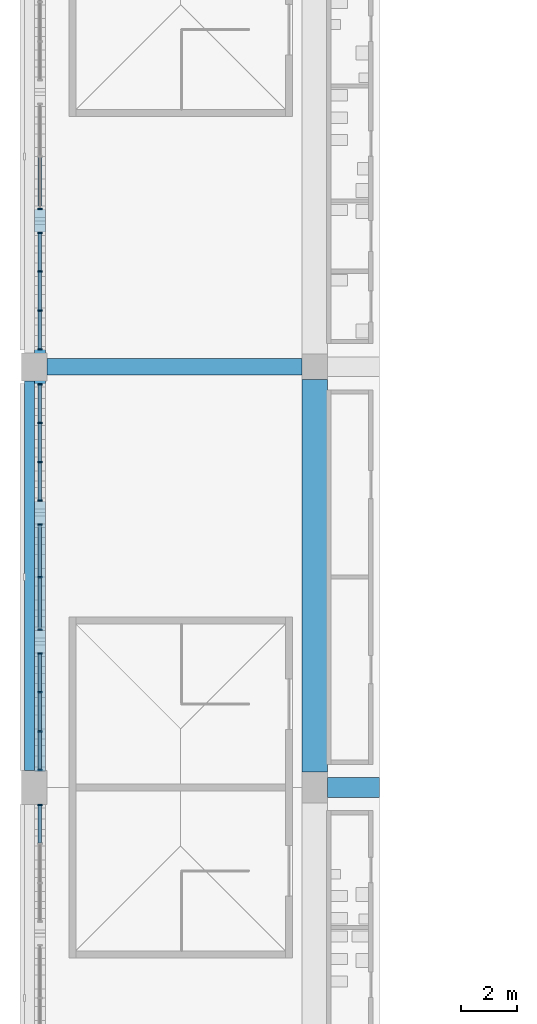
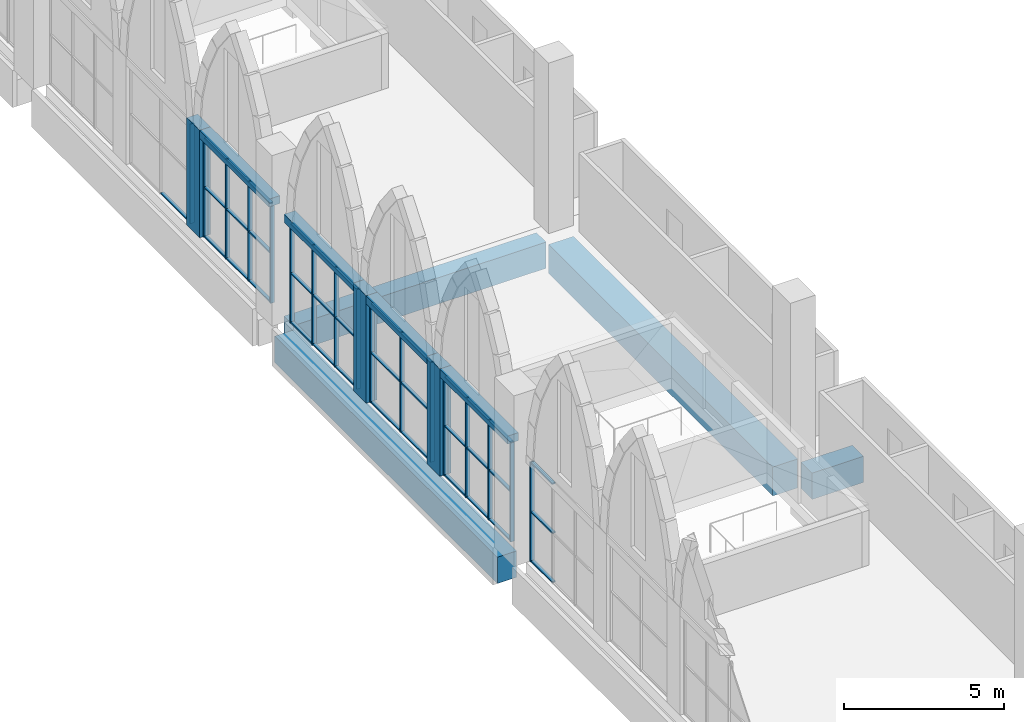
# One storey, part 13 of 130: 57 members, 8 beams, 6 elements without a shape of their own.
"""IFC4 building model written with IfcOpenShell, lengths in metres."""

from ifc_helpers import new_model, si_unit, direction, frame, origin, origin_2d, place, context, subcontext, project, spatial, rectangle, extrude, material, material_profile, profile_set, type_object, element, aggregate, save


model = new_model("IFC4")

# Units and contexts
model_context = context("Model", 3, precision=1e-05, world=origin(), true_north=direction((0.0, 1.0)))
body_context = subcontext(model_context, "Body", "Model", "MODEL_VIEW")
ifc_project = project(units=[si_unit("LENGTHUNIT", "METRE"), si_unit("AREAUNIT", "SQUARE_METRE"), si_unit("VOLUMEUNIT", "CUBIC_METRE"), si_unit("PLANEANGLEUNIT", "RADIAN"), si_unit("MASSUNIT", "GRAM", prefix="KILO")], contexts=[model_context])

# Site, building, storey
site_placement = place(None, origin())
site = spatial("IfcSite", under=ifc_project, at=site_placement, CompositionType="ELEMENT")
building_placement = place(site_placement, origin())
building = spatial("IfcBuilding", under=site, at=building_placement, Name="Ogive Plaza Stadium", CompositionType="ELEMENT")
storey_placement = place(building_placement, frame((0.0, 0.0, 22.5)))
storey = spatial("IfcBuildingStorey", under=building, at=storey_placement, Name="L05", CompositionType="ELEMENT", Elevation=22.5)

# Curtain wall, member
ifc_material_1 = material(Name="Bronze-anodised aluminium with laminated glass", Category="aluminium")
curtain_wall_type = type_object("IfcCurtainWallType", Name="Lancet curtain wall", PredefinedType="NOTDEFINED", material=ifc_material_1)
curtain_wall_1_placement = place(storey_placement, origin())
curtain_wall_1 = element("IfcCurtainWall", 1, at=curtain_wall_1_placement, inside=storey, type_object=curtain_wall_type, Name="CURTAIN WALL B21 L05", PredefinedType="NOTDEFINED")
ifc_material_2 = material(Name="Bronze-anodised aluminium", Category="aluminium")
ifc_material_profile_1 = material_profile(ifc_material_2, rectangle(XDim=0.14990234375, YDim=0.050048828125, at=origin_2d()), Name="AL 150x50")
ifc_profile_set_1 = profile_set([ifc_material_profile_1], Name="Bronze-anodised aluminium")
member_type_1 = type_object("IfcMemberType", Name="Curtain wall mullion 50x150", PredefinedType="MULLION", material=ifc_profile_set_1)
member_1_placement = place(storey_placement, frame((-83.800048828125, -38.125, 0.0), z_axis=(0.0, 0.0, 1.0), x_axis=(-1.0, 0.0, 0.0)))
member_1 = element("IfcMember", 2, at=member_1_placement, type_object=member_type_1, Name="CW-B21-L05.3 mullion 4", PredefinedType="MULLION", context=body_context, shape_type="SweptSolid", body=[
    extrude(rectangle(XDim=0.14990234375, YDim=0.050048828125, at=origin_2d()), origin(), (0.0, 0.0, 1.0), 3.800048828125),
])

# Curtain wall, members
curtain_wall_2_placement = place(storey_placement, origin())
curtain_wall_2 = element("IfcCurtainWall", 3, at=curtain_wall_2_placement, inside=storey, type_object=curtain_wall_type, Name="CURTAIN WALL B22 L05", PredefinedType="NOTDEFINED")
member_2_placement = place(storey_placement, frame((-83.800048828125, -36.875, 0.0), z_axis=(0.0, 0.0, 1.0), x_axis=(-1.0, 0.0, 0.0)))
member_2 = element("IfcMember", 4, at=member_2_placement, type_object=member_type_1, Name="CW-B22-L05.1 mullion 1", PredefinedType="MULLION", context=body_context, shape_type="SweptSolid", body=[
    extrude(rectangle(XDim=0.14990234375, YDim=0.050048828125, at=origin_2d()), origin(), (0.0, 0.0, 1.0), 3.800048828125),
])
member_3_placement = place(storey_placement, frame((-83.800048828125, -35.5, 0.0), z_axis=(0.0, 0.0, 1.0), x_axis=(-1.0, 0.0, 0.0)))
member_3 = element("IfcMember", 5, at=member_3_placement, type_object=member_type_1, Name="CW-B22-L05.1 mullion 2", PredefinedType="MULLION", context=body_context, shape_type="SweptSolid", body=[
    extrude(rectangle(XDim=0.14990234375, YDim=0.050048828125, at=origin_2d()), origin(), (0.0, 0.0, 1.0), 3.800048828125),
])
member_4_placement = place(storey_placement, frame((-83.800048828125, -34.10009765625, 0.0), z_axis=(0.0, 0.0, 1.0), x_axis=(-1.0, 0.0, 0.0)))
member_4 = element("IfcMember", 6, at=member_4_placement, type_object=member_type_1, Name="CW-B22-L05.1 mullion 3", PredefinedType="MULLION", context=body_context, shape_type="SweptSolid", body=[
    extrude(rectangle(XDim=0.14990234375, YDim=0.050048828125, at=origin_2d()), origin(), (0.0, 0.0, 1.0), 3.800048828125),
])
member_5_placement = place(storey_placement, frame((-83.800048828125, -32.72509765625, 0.0), z_axis=(0.0, 0.0, 1.0), x_axis=(-1.0, 0.0, 0.0)))
member_5 = element("IfcMember", 7, at=member_5_placement, type_object=member_type_1, Name="CW-B22-L05.1 mullion 4", PredefinedType="MULLION", context=body_context, shape_type="SweptSolid", body=[
    extrude(rectangle(XDim=0.14990234375, YDim=0.050048828125, at=origin_2d()), origin(), (0.0, 0.0, 1.0), 3.800048828125),
])

curtain_wall_3_placement = place(storey_placement, origin())
curtain_wall_3 = element("IfcCurtainWall", 8, at=curtain_wall_3_placement, inside=storey, type_object=curtain_wall_type, Name="CURTAIN WALL B22 L05", PredefinedType="NOTDEFINED")
member_6_placement = place(storey_placement, frame((-83.800048828125, -31.875, 0.0), z_axis=(0.0, 0.0, 1.0), x_axis=(-1.0, 0.0, 0.0)))
member_6 = element("IfcMember", 9, at=member_6_placement, type_object=member_type_1, Name="CW-B22-L05.2 mullion 1", PredefinedType="MULLION", context=body_context, shape_type="SweptSolid", body=[
    extrude(rectangle(XDim=0.14990234375, YDim=0.050048828125, at=origin_2d()), origin(), (0.0, 0.0, 1.0), 3.800048828125),
])
member_7_placement = place(storey_placement, frame((-83.800048828125, -30.0, 0.0), z_axis=(0.0, 0.0, 1.0), x_axis=(-1.0, 0.0, 0.0)))
member_7 = element("IfcMember", 10, at=member_7_placement, type_object=member_type_1, Name="CW-B22-L05.2 mullion 2", PredefinedType="MULLION", context=body_context, shape_type="SweptSolid", body=[
    extrude(rectangle(XDim=0.14990234375, YDim=0.050048828125, at=origin_2d()), origin(), (0.0, 0.0, 1.0), 3.800048828125),
])
member_8_placement = place(storey_placement, frame((-83.800048828125, -28.125, 0.0), z_axis=(0.0, 0.0, 1.0), x_axis=(-1.0, 0.0, 0.0)))
member_8 = element("IfcMember", 11, at=member_8_placement, type_object=member_type_1, Name="CW-B22-L05.2 mullion 3", PredefinedType="MULLION", context=body_context, shape_type="SweptSolid", body=[
    extrude(rectangle(XDim=0.14990234375, YDim=0.050048828125, at=origin_2d()), origin(), (0.0, 0.0, 1.0), 3.800048828125),
])

curtain_wall_4_placement = place(storey_placement, origin())
curtain_wall_4 = element("IfcCurtainWall", 12, at=curtain_wall_4_placement, inside=storey, type_object=curtain_wall_type, Name="CURTAIN WALL B22 L05", PredefinedType="NOTDEFINED")
member_9_placement = place(storey_placement, frame((-83.800048828125, -27.27490234375, 0.0), z_axis=(0.0, 0.0, 1.0), x_axis=(-1.0, 0.0, 0.0)))
member_9 = element("IfcMember", 13, at=member_9_placement, type_object=member_type_1, Name="CW-B22-L05.3 mullion 1", PredefinedType="MULLION", context=body_context, shape_type="SweptSolid", body=[
    extrude(rectangle(XDim=0.14990234375, YDim=0.050048828125, at=origin_2d()), origin(), (0.0, 0.0, 1.0), 3.800048828125),
])
member_10_placement = place(storey_placement, frame((-83.800048828125, -25.89990234375, 0.0), z_axis=(0.0, 0.0, 1.0), x_axis=(-1.0, 0.0, 0.0)))
member_10 = element("IfcMember", 14, at=member_10_placement, type_object=member_type_1, Name="CW-B22-L05.3 mullion 2", PredefinedType="MULLION", context=body_context, shape_type="SweptSolid", body=[
    extrude(rectangle(XDim=0.14990234375, YDim=0.050048828125, at=origin_2d()), origin(), (0.0, 0.0, 1.0), 3.800048828125),
])
member_11_placement = place(storey_placement, frame((-83.800048828125, -24.5, 0.0), z_axis=(0.0, 0.0, 1.0), x_axis=(-1.0, 0.0, 0.0)))
member_11 = element("IfcMember", 15, at=member_11_placement, type_object=member_type_1, Name="CW-B22-L05.3 mullion 3", PredefinedType="MULLION", context=body_context, shape_type="SweptSolid", body=[
    extrude(rectangle(XDim=0.14990234375, YDim=0.050048828125, at=origin_2d()), origin(), (0.0, 0.0, 1.0), 3.800048828125),
])
member_12_placement = place(storey_placement, frame((-83.800048828125, -23.125, 0.0), z_axis=(0.0, 0.0, 1.0), x_axis=(-1.0, 0.0, 0.0)))
member_12 = element("IfcMember", 16, at=member_12_placement, type_object=member_type_1, Name="CW-B22-L05.3 mullion 4", PredefinedType="MULLION", context=body_context, shape_type="SweptSolid", body=[
    extrude(rectangle(XDim=0.14990234375, YDim=0.050048828125, at=origin_2d()), origin(), (0.0, 0.0, 1.0), 3.800048828125),
])

curtain_wall_5_placement = place(storey_placement, origin())
curtain_wall_5 = element("IfcCurtainWall", 17, at=curtain_wall_5_placement, inside=storey, type_object=curtain_wall_type, Name="CURTAIN WALL B23 L05", PredefinedType="NOTDEFINED")
member_13_placement = place(storey_placement, frame((-83.800048828125, -21.875, 0.0), z_axis=(0.0, 0.0, 1.0), x_axis=(-1.0, 0.0, 0.0)))
member_13 = element("IfcMember", 18, at=member_13_placement, type_object=member_type_1, Name="CW-B23-L05.1 mullion 1", PredefinedType="MULLION", context=body_context, shape_type="SweptSolid", body=[
    extrude(rectangle(XDim=0.14990234375, YDim=0.050048828125, at=origin_2d()), origin(), (0.0, 0.0, 1.0), 3.800048828125),
])
member_14_placement = place(storey_placement, frame((-83.800048828125, -20.5, 0.0), z_axis=(0.0, 0.0, 1.0), x_axis=(-1.0, 0.0, 0.0)))
member_14 = element("IfcMember", 19, at=member_14_placement, type_object=member_type_1, Name="CW-B23-L05.1 mullion 2", PredefinedType="MULLION", context=body_context, shape_type="SweptSolid", body=[
    extrude(rectangle(XDim=0.14990234375, YDim=0.050048828125, at=origin_2d()), origin(), (0.0, 0.0, 1.0), 3.800048828125),
])
member_15_placement = place(storey_placement, frame((-83.800048828125, -19.10009765625, 0.0), z_axis=(0.0, 0.0, 1.0), x_axis=(-1.0, 0.0, 0.0)))
member_15 = element("IfcMember", 20, at=member_15_placement, type_object=member_type_1, Name="CW-B23-L05.1 mullion 3", PredefinedType="MULLION", context=body_context, shape_type="SweptSolid", body=[
    extrude(rectangle(XDim=0.14990234375, YDim=0.050048828125, at=origin_2d()), origin(), (0.0, 0.0, 1.0), 3.800048828125),
])
member_16_placement = place(storey_placement, frame((-83.800048828125, -17.72509765625, 0.0), z_axis=(0.0, 0.0, 1.0), x_axis=(-1.0, 0.0, 0.0)))
member_16 = element("IfcMember", 21, at=member_16_placement, type_object=member_type_1, Name="CW-B23-L05.1 mullion 4", PredefinedType="MULLION", context=body_context, shape_type="SweptSolid", body=[
    extrude(rectangle(XDim=0.14990234375, YDim=0.050048828125, at=origin_2d()), origin(), (0.0, 0.0, 1.0), 3.800048828125),
])

# Curtain wall, member
curtain_wall_6_placement = place(storey_placement, origin())
curtain_wall_6 = element("IfcCurtainWall", 22, at=curtain_wall_6_placement, inside=storey, type_object=curtain_wall_type, Name="CURTAIN WALL B23 L05", PredefinedType="NOTDEFINED")
member_17_placement = place(storey_placement, frame((-83.800048828125, -16.875, 0.0), z_axis=(0.0, 0.0, 1.0), x_axis=(-1.0, 0.0, 0.0)))
member_17 = element("IfcMember", 23, at=member_17_placement, type_object=member_type_1, Name="CW-B23-L05.2 mullion 1", PredefinedType="MULLION", context=body_context, shape_type="SweptSolid", body=[
    extrude(rectangle(XDim=0.14990234375, YDim=0.050048828125, at=origin_2d()), origin(), (0.0, 0.0, 1.0), 3.800048828125),
])

# Member
ifc_material_3 = material(Name="Bronze-anodised aluminium", Category="aluminium")
ifc_material_profile_2 = material_profile(ifc_material_3, rectangle(XDim=0.1201171875, YDim=0.050048828125, at=origin_2d()), Name="AL 120x50")
ifc_profile_set_2 = profile_set([ifc_material_profile_2], Name="Bronze-anodised aluminium")
member_type_2 = type_object("IfcMemberType", Name="Curtain wall transom 50x120", PredefinedType="USERDEFINED", material=ifc_profile_set_2)
member_18_placement = place(storey_placement, frame((-83.800048828125, -39.47509765625, 0.02490234375), z_axis=(0.0, 1.0, 0.0), x_axis=(-1.0, 0.0, 0.0)))
member_18 = element("IfcMember", 24, at=member_18_placement, type_object=member_type_2, Name="CW-B21-L05.3 transom 3.1", ObjectType="TRANSOM", PredefinedType="USERDEFINED", context=body_context, shape_type="SweptSolid", body=[
    extrude(rectangle(XDim=0.1201171875, YDim=0.050048828125, at=origin_2d()), origin(), (0.0, 0.0, 1.0), 1.3251953125),
])

member_19_placement = place(storey_placement, frame((-83.800048828125, -39.47509765625, 1.89990234375), z_axis=(0.0, 1.0, 0.0), x_axis=(-1.0, 0.0, 0.0)))
member_19 = element("IfcMember", 25, at=member_19_placement, type_object=member_type_2, Name="CW-B21-L05.3 transom 3.2", ObjectType="TRANSOM", PredefinedType="USERDEFINED", context=body_context, shape_type="SweptSolid", body=[
    extrude(rectangle(XDim=0.1201171875, YDim=0.050048828125, at=origin_2d()), origin(), (0.0, 0.0, 1.0), 1.3251953125),
])

member_20_placement = place(storey_placement, frame((-83.800048828125, -39.47509765625, 3.77490234375), z_axis=(0.0, 1.0, 0.0), x_axis=(-1.0, 0.0, 0.0)))
member_20 = element("IfcMember", 26, at=member_20_placement, type_object=member_type_2, Name="CW-B21-L05.3 transom 3.3", ObjectType="TRANSOM", PredefinedType="USERDEFINED", context=body_context, shape_type="SweptSolid", body=[
    extrude(rectangle(XDim=0.1201171875, YDim=0.050048828125, at=origin_2d()), origin(), (0.0, 0.0, 1.0), 1.3251953125),
])

aggregate(curtain_wall_1, [member_1, member_18, member_19, member_20])

member_21_placement = place(storey_placement, frame((-83.800048828125, -36.85009765625, 0.02490234375), z_axis=(0.0, 1.0, 0.0), x_axis=(-1.0, 0.0, 0.0)))
member_21 = element("IfcMember", 27, at=member_21_placement, type_object=member_type_2, Name="CW-B22-L05.1 transom 1.1", ObjectType="TRANSOM", PredefinedType="USERDEFINED", context=body_context, shape_type="SweptSolid", body=[
    extrude(rectangle(XDim=0.1201171875, YDim=0.050048828125, at=origin_2d()), origin(), (0.0, 0.0, 1.0), 1.3251953125),
])

member_22_placement = place(storey_placement, frame((-83.800048828125, -36.85009765625, 1.89990234375), z_axis=(0.0, 1.0, 0.0), x_axis=(-1.0, 0.0, 0.0)))
member_22 = element("IfcMember", 28, at=member_22_placement, type_object=member_type_2, Name="CW-B22-L05.1 transom 1.2", ObjectType="TRANSOM", PredefinedType="USERDEFINED", context=body_context, shape_type="SweptSolid", body=[
    extrude(rectangle(XDim=0.1201171875, YDim=0.050048828125, at=origin_2d()), origin(), (0.0, 0.0, 1.0), 1.3251953125),
])

member_23_placement = place(storey_placement, frame((-83.800048828125, -36.85009765625, 3.77490234375), z_axis=(0.0, 1.0, 0.0), x_axis=(-1.0, 0.0, 0.0)))
member_23 = element("IfcMember", 29, at=member_23_placement, type_object=member_type_2, Name="CW-B22-L05.1 transom 1.3", ObjectType="TRANSOM", PredefinedType="USERDEFINED", context=body_context, shape_type="SweptSolid", body=[
    extrude(rectangle(XDim=0.1201171875, YDim=0.050048828125, at=origin_2d()), origin(), (0.0, 0.0, 1.0), 1.3251953125),
])

member_24_placement = place(storey_placement, frame((-83.800048828125, -35.47509765625, 0.02490234375), z_axis=(0.0, 1.0, 0.0), x_axis=(-1.0, 0.0, 0.0)))
member_24 = element("IfcMember", 30, at=member_24_placement, type_object=member_type_2, Name="CW-B22-L05.1 transom 2.1", ObjectType="TRANSOM", PredefinedType="USERDEFINED", context=body_context, shape_type="SweptSolid", body=[
    extrude(rectangle(XDim=0.1201171875, YDim=0.050048828125, at=origin_2d()), origin(), (0.0, 0.0, 1.0), 1.35009765625),
])

member_25_placement = place(storey_placement, frame((-83.800048828125, -35.47509765625, 1.89990234375), z_axis=(0.0, 1.0, 0.0), x_axis=(-1.0, 0.0, 0.0)))
member_25 = element("IfcMember", 31, at=member_25_placement, type_object=member_type_2, Name="CW-B22-L05.1 transom 2.2", ObjectType="TRANSOM", PredefinedType="USERDEFINED", context=body_context, shape_type="SweptSolid", body=[
    extrude(rectangle(XDim=0.1201171875, YDim=0.050048828125, at=origin_2d()), origin(), (0.0, 0.0, 1.0), 1.35009765625),
])

member_26_placement = place(storey_placement, frame((-83.800048828125, -35.47509765625, 3.77490234375), z_axis=(0.0, 1.0, 0.0), x_axis=(-1.0, 0.0, 0.0)))
member_26 = element("IfcMember", 32, at=member_26_placement, type_object=member_type_2, Name="CW-B22-L05.1 transom 2.3", ObjectType="TRANSOM", PredefinedType="USERDEFINED", context=body_context, shape_type="SweptSolid", body=[
    extrude(rectangle(XDim=0.1201171875, YDim=0.050048828125, at=origin_2d()), origin(), (0.0, 0.0, 1.0), 1.35009765625),
])

member_27_placement = place(storey_placement, frame((-83.800048828125, -34.074951171875, 0.02490234375), z_axis=(0.0, 1.0, 0.0), x_axis=(-1.0, 0.0, 0.0)))
member_27 = element("IfcMember", 33, at=member_27_placement, type_object=member_type_2, Name="CW-B22-L05.1 transom 3.1", ObjectType="TRANSOM", PredefinedType="USERDEFINED", context=body_context, shape_type="SweptSolid", body=[
    extrude(rectangle(XDim=0.1201171875, YDim=0.050048828125, at=origin_2d()), origin(), (0.0, 0.0, 1.0), 1.324951171875),
])

member_28_placement = place(storey_placement, frame((-83.800048828125, -34.074951171875, 1.89990234375), z_axis=(0.0, 1.0, 0.0), x_axis=(-1.0, 0.0, 0.0)))
member_28 = element("IfcMember", 34, at=member_28_placement, type_object=member_type_2, Name="CW-B22-L05.1 transom 3.2", ObjectType="TRANSOM", PredefinedType="USERDEFINED", context=body_context, shape_type="SweptSolid", body=[
    extrude(rectangle(XDim=0.1201171875, YDim=0.050048828125, at=origin_2d()), origin(), (0.0, 0.0, 1.0), 1.324951171875),
])

member_29_placement = place(storey_placement, frame((-83.800048828125, -34.074951171875, 3.77490234375), z_axis=(0.0, 1.0, 0.0), x_axis=(-1.0, 0.0, 0.0)))
member_29 = element("IfcMember", 35, at=member_29_placement, type_object=member_type_2, Name="CW-B22-L05.1 transom 3.3", ObjectType="TRANSOM", PredefinedType="USERDEFINED", context=body_context, shape_type="SweptSolid", body=[
    extrude(rectangle(XDim=0.1201171875, YDim=0.050048828125, at=origin_2d()), origin(), (0.0, 0.0, 1.0), 1.324951171875),
])

aggregate(curtain_wall_2, [member_2, member_3, member_4, member_5, member_21, member_22, member_23, member_24, member_25, member_26, member_27, member_28, member_29])

member_30_placement = place(storey_placement, frame((-83.800048828125, -31.85009765625, 0.02490234375), z_axis=(0.0, 1.0, 0.0), x_axis=(-1.0, 0.0, 0.0)))
member_30 = element("IfcMember", 36, at=member_30_placement, type_object=member_type_2, Name="CW-B22-L05.2 transom 1.1", ObjectType="TRANSOM", PredefinedType="USERDEFINED", context=body_context, shape_type="SweptSolid", body=[
    extrude(rectangle(XDim=0.1201171875, YDim=0.050048828125, at=origin_2d()), origin(), (0.0, 0.0, 1.0), 1.8251953125),
])

member_31_placement = place(storey_placement, frame((-83.800048828125, -31.85009765625, 1.89990234375), z_axis=(0.0, 1.0, 0.0), x_axis=(-1.0, 0.0, 0.0)))
member_31 = element("IfcMember", 37, at=member_31_placement, type_object=member_type_2, Name="CW-B22-L05.2 transom 1.2", ObjectType="TRANSOM", PredefinedType="USERDEFINED", context=body_context, shape_type="SweptSolid", body=[
    extrude(rectangle(XDim=0.1201171875, YDim=0.050048828125, at=origin_2d()), origin(), (0.0, 0.0, 1.0), 1.8251953125),
])

member_32_placement = place(storey_placement, frame((-83.800048828125, -31.85009765625, 3.77490234375), z_axis=(0.0, 1.0, 0.0), x_axis=(-1.0, 0.0, 0.0)))
member_32 = element("IfcMember", 38, at=member_32_placement, type_object=member_type_2, Name="CW-B22-L05.2 transom 1.3", ObjectType="TRANSOM", PredefinedType="USERDEFINED", context=body_context, shape_type="SweptSolid", body=[
    extrude(rectangle(XDim=0.1201171875, YDim=0.050048828125, at=origin_2d()), origin(), (0.0, 0.0, 1.0), 1.8251953125),
])

member_33_placement = place(storey_placement, frame((-83.800048828125, -29.97509765625, 0.02490234375), z_axis=(0.0, 1.0, 0.0), x_axis=(-1.0, 0.0, 0.0)))
member_33 = element("IfcMember", 39, at=member_33_placement, type_object=member_type_2, Name="CW-B22-L05.2 transom 2.1", ObjectType="TRANSOM", PredefinedType="USERDEFINED", context=body_context, shape_type="SweptSolid", body=[
    extrude(rectangle(XDim=0.1201171875, YDim=0.050048828125, at=origin_2d()), origin(), (0.0, 0.0, 1.0), 1.8251953125),
])

member_34_placement = place(storey_placement, frame((-83.800048828125, -29.97509765625, 1.89990234375), z_axis=(0.0, 1.0, 0.0), x_axis=(-1.0, 0.0, 0.0)))
member_34 = element("IfcMember", 40, at=member_34_placement, type_object=member_type_2, Name="CW-B22-L05.2 transom 2.2", ObjectType="TRANSOM", PredefinedType="USERDEFINED", context=body_context, shape_type="SweptSolid", body=[
    extrude(rectangle(XDim=0.1201171875, YDim=0.050048828125, at=origin_2d()), origin(), (0.0, 0.0, 1.0), 1.8251953125),
])

member_35_placement = place(storey_placement, frame((-83.800048828125, -29.97509765625, 3.77490234375), z_axis=(0.0, 1.0, 0.0), x_axis=(-1.0, 0.0, 0.0)))
member_35 = element("IfcMember", 41, at=member_35_placement, type_object=member_type_2, Name="CW-B22-L05.2 transom 2.3", ObjectType="TRANSOM", PredefinedType="USERDEFINED", context=body_context, shape_type="SweptSolid", body=[
    extrude(rectangle(XDim=0.1201171875, YDim=0.050048828125, at=origin_2d()), origin(), (0.0, 0.0, 1.0), 1.8251953125),
])

aggregate(curtain_wall_3, [member_6, member_7, member_8, member_30, member_31, member_32, member_33, member_34, member_35])

member_36_placement = place(storey_placement, frame((-83.800048828125, -27.25, 0.02490234375), z_axis=(0.0, 1.0, 0.0), x_axis=(-1.0, 0.0, 0.0)))
member_36 = element("IfcMember", 42, at=member_36_placement, type_object=member_type_2, Name="CW-B22-L05.3 transom 1.1", ObjectType="TRANSOM", PredefinedType="USERDEFINED", context=body_context, shape_type="SweptSolid", body=[
    extrude(rectangle(XDim=0.1201171875, YDim=0.050048828125, at=origin_2d()), origin(), (0.0, 0.0, 1.0), 1.324951171875),
])

member_37_placement = place(storey_placement, frame((-83.800048828125, -27.25, 1.89990234375), z_axis=(0.0, 1.0, 0.0), x_axis=(-1.0, 0.0, 0.0)))
member_37 = element("IfcMember", 43, at=member_37_placement, type_object=member_type_2, Name="CW-B22-L05.3 transom 1.2", ObjectType="TRANSOM", PredefinedType="USERDEFINED", context=body_context, shape_type="SweptSolid", body=[
    extrude(rectangle(XDim=0.1201171875, YDim=0.050048828125, at=origin_2d()), origin(), (0.0, 0.0, 1.0), 1.324951171875),
])

member_38_placement = place(storey_placement, frame((-83.800048828125, -27.25, 3.77490234375), z_axis=(0.0, 1.0, 0.0), x_axis=(-1.0, 0.0, 0.0)))
member_38 = element("IfcMember", 44, at=member_38_placement, type_object=member_type_2, Name="CW-B22-L05.3 transom 1.3", ObjectType="TRANSOM", PredefinedType="USERDEFINED", context=body_context, shape_type="SweptSolid", body=[
    extrude(rectangle(XDim=0.1201171875, YDim=0.050048828125, at=origin_2d()), origin(), (0.0, 0.0, 1.0), 1.324951171875),
])

member_39_placement = place(storey_placement, frame((-83.800048828125, -25.875, 0.02490234375), z_axis=(0.0, 1.0, 0.0), x_axis=(-1.0, 0.0, 0.0)))
member_39 = element("IfcMember", 45, at=member_39_placement, type_object=member_type_2, Name="CW-B22-L05.3 transom 2.1", ObjectType="TRANSOM", PredefinedType="USERDEFINED", context=body_context, shape_type="SweptSolid", body=[
    extrude(rectangle(XDim=0.1201171875, YDim=0.050048828125, at=origin_2d()), origin(), (0.0, 0.0, 1.0), 1.35009765625),
])

member_40_placement = place(storey_placement, frame((-83.800048828125, -25.875, 1.89990234375), z_axis=(0.0, 1.0, 0.0), x_axis=(-1.0, 0.0, 0.0)))
member_40 = element("IfcMember", 46, at=member_40_placement, type_object=member_type_2, Name="CW-B22-L05.3 transom 2.2", ObjectType="TRANSOM", PredefinedType="USERDEFINED", context=body_context, shape_type="SweptSolid", body=[
    extrude(rectangle(XDim=0.1201171875, YDim=0.050048828125, at=origin_2d()), origin(), (0.0, 0.0, 1.0), 1.35009765625),
])

member_41_placement = place(storey_placement, frame((-83.800048828125, -25.875, 3.77490234375), z_axis=(0.0, 1.0, 0.0), x_axis=(-1.0, 0.0, 0.0)))
member_41 = element("IfcMember", 47, at=member_41_placement, type_object=member_type_2, Name="CW-B22-L05.3 transom 2.3", ObjectType="TRANSOM", PredefinedType="USERDEFINED", context=body_context, shape_type="SweptSolid", body=[
    extrude(rectangle(XDim=0.1201171875, YDim=0.050048828125, at=origin_2d()), origin(), (0.0, 0.0, 1.0), 1.35009765625),
])

member_42_placement = place(storey_placement, frame((-83.800048828125, -24.47509765625, 0.02490234375), z_axis=(0.0, 1.0, 0.0), x_axis=(-1.0, 0.0, 0.0)))
member_42 = element("IfcMember", 48, at=member_42_placement, type_object=member_type_2, Name="CW-B22-L05.3 transom 3.1", ObjectType="TRANSOM", PredefinedType="USERDEFINED", context=body_context, shape_type="SweptSolid", body=[
    extrude(rectangle(XDim=0.1201171875, YDim=0.050048828125, at=origin_2d()), origin(), (0.0, 0.0, 1.0), 1.3251953125),
])

member_43_placement = place(storey_placement, frame((-83.800048828125, -24.47509765625, 1.89990234375), z_axis=(0.0, 1.0, 0.0), x_axis=(-1.0, 0.0, 0.0)))
member_43 = element("IfcMember", 49, at=member_43_placement, type_object=member_type_2, Name="CW-B22-L05.3 transom 3.2", ObjectType="TRANSOM", PredefinedType="USERDEFINED", context=body_context, shape_type="SweptSolid", body=[
    extrude(rectangle(XDim=0.1201171875, YDim=0.050048828125, at=origin_2d()), origin(), (0.0, 0.0, 1.0), 1.3251953125),
])

member_44_placement = place(storey_placement, frame((-83.800048828125, -24.47509765625, 3.77490234375), z_axis=(0.0, 1.0, 0.0), x_axis=(-1.0, 0.0, 0.0)))
member_44 = element("IfcMember", 50, at=member_44_placement, type_object=member_type_2, Name="CW-B22-L05.3 transom 3.3", ObjectType="TRANSOM", PredefinedType="USERDEFINED", context=body_context, shape_type="SweptSolid", body=[
    extrude(rectangle(XDim=0.1201171875, YDim=0.050048828125, at=origin_2d()), origin(), (0.0, 0.0, 1.0), 1.3251953125),
])

aggregate(curtain_wall_4, [member_9, member_10, member_11, member_12, member_36, member_37, member_38, member_39, member_40, member_41, member_42, member_43, member_44])

member_45_placement = place(storey_placement, frame((-83.800048828125, -21.85009765625, 0.02490234375), z_axis=(0.0, 1.0, 0.0), x_axis=(-1.0, 0.0, 0.0)))
member_45 = element("IfcMember", 51, at=member_45_placement, type_object=member_type_2, Name="CW-B23-L05.1 transom 1.1", ObjectType="TRANSOM", PredefinedType="USERDEFINED", context=body_context, shape_type="SweptSolid", body=[
    extrude(rectangle(XDim=0.1201171875, YDim=0.050048828125, at=origin_2d()), origin(), (0.0, 0.0, 1.0), 1.3251953125),
])

member_46_placement = place(storey_placement, frame((-83.800048828125, -21.85009765625, 1.89990234375), z_axis=(0.0, 1.0, 0.0), x_axis=(-1.0, 0.0, 0.0)))
member_46 = element("IfcMember", 52, at=member_46_placement, type_object=member_type_2, Name="CW-B23-L05.1 transom 1.2", ObjectType="TRANSOM", PredefinedType="USERDEFINED", context=body_context, shape_type="SweptSolid", body=[
    extrude(rectangle(XDim=0.1201171875, YDim=0.050048828125, at=origin_2d()), origin(), (0.0, 0.0, 1.0), 1.3251953125),
])

member_47_placement = place(storey_placement, frame((-83.800048828125, -21.85009765625, 3.77490234375), z_axis=(0.0, 1.0, 0.0), x_axis=(-1.0, 0.0, 0.0)))
member_47 = element("IfcMember", 53, at=member_47_placement, type_object=member_type_2, Name="CW-B23-L05.1 transom 1.3", ObjectType="TRANSOM", PredefinedType="USERDEFINED", context=body_context, shape_type="SweptSolid", body=[
    extrude(rectangle(XDim=0.1201171875, YDim=0.050048828125, at=origin_2d()), origin(), (0.0, 0.0, 1.0), 1.3251953125),
])

member_48_placement = place(storey_placement, frame((-83.800048828125, -20.47509765625, 0.02490234375), z_axis=(0.0, 1.0, 0.0), x_axis=(-1.0, 0.0, 0.0)))
member_48 = element("IfcMember", 54, at=member_48_placement, type_object=member_type_2, Name="CW-B23-L05.1 transom 2.1", ObjectType="TRANSOM", PredefinedType="USERDEFINED", context=body_context, shape_type="SweptSolid", body=[
    extrude(rectangle(XDim=0.1201171875, YDim=0.050048828125, at=origin_2d()), origin(), (0.0, 0.0, 1.0), 1.35009765625),
])

member_49_placement = place(storey_placement, frame((-83.800048828125, -20.47509765625, 1.89990234375), z_axis=(0.0, 1.0, 0.0), x_axis=(-1.0, 0.0, 0.0)))
member_49 = element("IfcMember", 55, at=member_49_placement, type_object=member_type_2, Name="CW-B23-L05.1 transom 2.2", ObjectType="TRANSOM", PredefinedType="USERDEFINED", context=body_context, shape_type="SweptSolid", body=[
    extrude(rectangle(XDim=0.1201171875, YDim=0.050048828125, at=origin_2d()), origin(), (0.0, 0.0, 1.0), 1.35009765625),
])

member_50_placement = place(storey_placement, frame((-83.800048828125, -20.47509765625, 3.77490234375), z_axis=(0.0, 1.0, 0.0), x_axis=(-1.0, 0.0, 0.0)))
member_50 = element("IfcMember", 56, at=member_50_placement, type_object=member_type_2, Name="CW-B23-L05.1 transom 2.3", ObjectType="TRANSOM", PredefinedType="USERDEFINED", context=body_context, shape_type="SweptSolid", body=[
    extrude(rectangle(XDim=0.1201171875, YDim=0.050048828125, at=origin_2d()), origin(), (0.0, 0.0, 1.0), 1.35009765625),
])

member_51_placement = place(storey_placement, frame((-83.800048828125, -19.074951171875, 0.02490234375), z_axis=(0.0, 1.0, 0.0), x_axis=(-1.0, 0.0, 0.0)))
member_51 = element("IfcMember", 57, at=member_51_placement, type_object=member_type_2, Name="CW-B23-L05.1 transom 3.1", ObjectType="TRANSOM", PredefinedType="USERDEFINED", context=body_context, shape_type="SweptSolid", body=[
    extrude(rectangle(XDim=0.1201171875, YDim=0.050048828125, at=origin_2d()), origin(), (0.0, 0.0, 1.0), 1.324951171875),
])

member_52_placement = place(storey_placement, frame((-83.800048828125, -19.074951171875, 1.89990234375), z_axis=(0.0, 1.0, 0.0), x_axis=(-1.0, 0.0, 0.0)))
member_52 = element("IfcMember", 58, at=member_52_placement, type_object=member_type_2, Name="CW-B23-L05.1 transom 3.2", ObjectType="TRANSOM", PredefinedType="USERDEFINED", context=body_context, shape_type="SweptSolid", body=[
    extrude(rectangle(XDim=0.1201171875, YDim=0.050048828125, at=origin_2d()), origin(), (0.0, 0.0, 1.0), 1.324951171875),
])

member_53_placement = place(storey_placement, frame((-83.800048828125, -19.074951171875, 3.77490234375), z_axis=(0.0, 1.0, 0.0), x_axis=(-1.0, 0.0, 0.0)))
member_53 = element("IfcMember", 59, at=member_53_placement, type_object=member_type_2, Name="CW-B23-L05.1 transom 3.3", ObjectType="TRANSOM", PredefinedType="USERDEFINED", context=body_context, shape_type="SweptSolid", body=[
    extrude(rectangle(XDim=0.1201171875, YDim=0.050048828125, at=origin_2d()), origin(), (0.0, 0.0, 1.0), 1.324951171875),
])

aggregate(curtain_wall_5, [member_13, member_14, member_15, member_16, member_45, member_46, member_47, member_48, member_49, member_50, member_51, member_52, member_53])

member_54_placement = place(storey_placement, frame((-83.800048828125, -16.85009765625, 0.02490234375), z_axis=(0.0, 1.0, 0.0), x_axis=(-1.0, 0.0, 0.0)))
member_54 = element("IfcMember", 60, at=member_54_placement, type_object=member_type_2, Name="CW-B23-L05.2 transom 1.1", ObjectType="TRANSOM", PredefinedType="USERDEFINED", context=body_context, shape_type="SweptSolid", body=[
    extrude(rectangle(XDim=0.1201171875, YDim=0.050048828125, at=origin_2d()), origin(), (0.0, 0.0, 1.0), 1.8251953125),
])

aggregate(curtain_wall_6, [member_17, member_54])

# Members
ifc_material_4 = material(Name="Concrete C45/55 precast", Category="concrete")
ifc_material_profile_3 = material_profile(ifc_material_4, rectangle(XDim=0.39990234375, YDim=0.800048828125, at=origin_2d()), Name="RC 400x800")
ifc_profile_set_3 = profile_set([ifc_material_profile_3], Name="Concrete C45/55 precast")
member_type_3 = type_object("IfcMemberType", Name="Precast colonette 800x400", PredefinedType="POST", material=ifc_profile_set_3)
for number, where, z_axis, x_axis, name in (
    (61, (-83.800048828125, -32.300048828125, 0.0), (0.0, 0.0, 1.0), (-1.0, 0.0, 0.0), "COLONETTE B22 1"),
    (62, (-83.800048828125, -27.699951171875, 0.0), (0.0, 0.0, 1.0), (-1.0, 0.0, 0.0), "COLONETTE B22 2"),
    (63, (-83.800048828125, -17.300048828125, 0.0), (0.0, 0.0, 1.0), (-1.0, 0.0, 0.0), "COLONETTE B23 1"),
):
    element("IfcMember", number, at=place(storey_placement, frame(where, z_axis=z_axis, x_axis=x_axis)), inside=storey, type_object=member_type_3, Name=name, PredefinedType="POST", context=body_context, shape_type="SweptSolid", body=[
        extrude(rectangle(XDim=0.39990234375, YDim=0.800048828125, at=origin_2d()), origin(), (0.0, 0.0, 1.0), 4.10009765625),
    ])

# Beams
ifc_material_5 = material(Name="Concrete C45/55 precast", Category="concrete")
ifc_material_profile_4 = material_profile(ifc_material_5, rectangle(XDim=0.39990234375, YDim=0.300048828125, at=origin_2d()), Name="RC 400x300")
ifc_profile_set_4 = profile_set([ifc_material_profile_4], Name="Concrete C45/55 precast")
beam_type_1 = type_object("IfcBeamType", Name="Precast tympanum lintel 400x300", PredefinedType="BEAM", material=ifc_profile_set_4)
beam_1_placement = place(storey_placement, frame((-83.800048828125, -36.929931640625, 3.949951171875), z_axis=(0.0, 1.0, 0.0), x_axis=(-1.0, 0.0, 0.0)))
element("IfcBeam", 64, at=beam_1_placement, inside=storey, type_object=beam_type_1, Name="TYMPANUM LINTEL B22 1", PredefinedType="BEAM", context=body_context, shape_type="SweptSolid", body=[
    extrude(rectangle(XDim=0.39990234375, YDim=0.300048828125, at=origin_2d()), origin(), (0.0, 0.0, 1.0), 4.260009765625),
])
beam_2_placement = place(storey_placement, frame((-83.800048828125, -31.929931640625, 3.949951171875), z_axis=(0.0, 1.0, 0.0), x_axis=(-1.0, 0.0, 0.0)))
element("IfcBeam", 65, at=beam_2_placement, inside=storey, type_object=beam_type_1, Name="TYMPANUM LINTEL B22 2", PredefinedType="BEAM", context=body_context, shape_type="SweptSolid", body=[
    extrude(rectangle(XDim=0.39990234375, YDim=0.300048828125, at=origin_2d()), origin(), (0.0, 0.0, 1.0), 3.85986328125),
])
for number, where, z_axis, x_axis, name in (
    (66, (-83.800048828125, -27.330078125, 3.949951171875), (0.0, 1.0, 0.0), (-1.0, 0.0, 0.0), "TYMPANUM LINTEL B22 3"),
    (67, (-83.800048828125, -22.030029296875, 3.949951171875), (0.0, 1.0, 0.0), (-1.0, 0.0, 0.0), "TYMPANUM LINTEL B23 1"),
):
    element("IfcBeam", number, at=place(storey_placement, frame(where, z_axis=z_axis, x_axis=x_axis)), inside=storey, type_object=beam_type_1, Name=name, PredefinedType="BEAM", context=body_context, shape_type="SweptSolid", body=[
        extrude(rectangle(XDim=0.39990234375, YDim=0.300048828125, at=origin_2d()), origin(), (0.0, 0.0, 1.0), 4.360107421875),
    ])
ifc_material_6 = material(Name="Concrete C40/50", Category="concrete")
ifc_material_profile_5 = material_profile(ifc_material_6, rectangle(XDim=0.60009765625, YDim=1.0, at=origin_2d()), Name="RC 600x1000")
ifc_profile_set_5 = profile_set([ifc_material_profile_5], Name="Concrete C40/50")
beam_type_2 = type_object("IfcBeamType", Name="RC radial beam 600x1000", PredefinedType="BEAM", material=ifc_profile_set_5)
beam_3_placement = place(storey_placement, frame((-74.449951171875, -22.5, -0.909912109375), z_axis=(-1.0, 0.0, 0.0), x_axis=(0.0, -1.0, 0.0)))
element("IfcBeam", 68, at=beam_3_placement, inside=storey, type_object=beam_type_2, Name="Radial beam L05 R23 F4F5", PredefinedType="BEAM", context=body_context, shape_type="SweptSolid", body=[
    extrude(rectangle(XDim=0.60009765625, YDim=1.0, at=origin_2d()), origin(), (0.0, 0.0, 1.0), 9.10009765625),
])
ifc_material_7 = material(Name="Concrete C40/50", Category="concrete")
ifc_material_profile_6 = material_profile(ifc_material_7, rectangle(XDim=0.699951171875, YDim=1.0, at=origin_2d()), Name="RC 700x1000")
ifc_profile_set_6 = profile_set([ifc_material_profile_6], Name="Concrete C40/50")
beam_type_3 = type_object("IfcBeamType", Name="RC radial beam 700x1000", PredefinedType="BEAM", material=ifc_profile_set_6)
beam_4_placement = place(storey_placement, frame((-71.699951171875, -37.5, -0.909912109375), z_axis=(-1.0, 0.0, 0.0), x_axis=(0.0, -1.0, 0.0)))
element("IfcBeam", 69, at=beam_4_placement, inside=storey, type_object=beam_type_3, Name="Raker tail beam UT R22", PredefinedType="BEAM", context=body_context, shape_type="SweptSolid", body=[
    extrude(rectangle(XDim=0.699951171875, YDim=1.0, at=origin_2d()), origin(), (0.0, 0.0, 1.0), 1.85009765625),
])
ifc_material_8 = material(Name="Concrete C40/50", Category="concrete")
ifc_material_profile_7 = material_profile(ifc_material_8, rectangle(XDim=0.89990234375, YDim=1.10009765625, at=origin_2d()), Name="RC 900x1100")
ifc_profile_set_7 = profile_set([ifc_material_profile_7], Name="Concrete C40/50")
beam_type_4 = type_object("IfcBeamType", Name="RC ring beam 900x1100", PredefinedType="BEAM", material=ifc_profile_set_7)
beam_5_placement = place(storey_placement, frame((-74.0, -36.949951171875, -0.9599609375), z_axis=(0.0, 1.0, 0.0), x_axis=(-1.0, 0.0, 0.0)))
element("IfcBeam", 70, at=beam_5_placement, inside=storey, type_object=beam_type_4, Name="Ring beam F4 L05 B22", PredefinedType="BEAM", context=body_context, shape_type="SweptSolid", body=[
    extrude(rectangle(XDim=0.89990234375, YDim=1.10009765625, at=origin_2d()), origin(), (0.0, 0.0, 1.0), 14.0),
])
ifc_material_9 = material(Name="Concrete C40/50", Category="concrete")
ifc_material_profile_8 = material_profile(ifc_material_9, rectangle(XDim=0.699951171875, YDim=1.0, at=origin_2d()), Name="RC 700x1000")
ifc_profile_set_8 = profile_set([ifc_material_profile_8], Name="Concrete C40/50")
beam_type_5 = type_object("IfcBeamType", Name="RC spandrel beam 700x1000", PredefinedType="SPANDREL", material=ifc_profile_set_8)
beam_6_placement = place(storey_placement, frame((-84.0, -36.89990234375, -0.909912109375), z_axis=(0.0, 1.0, 0.0), x_axis=(-1.0, 0.0, 0.0)))
element("IfcBeam", 71, at=beam_6_placement, inside=storey, type_object=beam_type_5, Name="Ring beam F5 L05 B22", PredefinedType="SPANDREL", context=body_context, shape_type="SweptSolid", body=[
    extrude(rectangle(XDim=0.699951171875, YDim=1.0, at=origin_2d()), origin(), (0.0, 0.0, 1.0), 13.89990234375),
])

save(model, "model.ifc")
